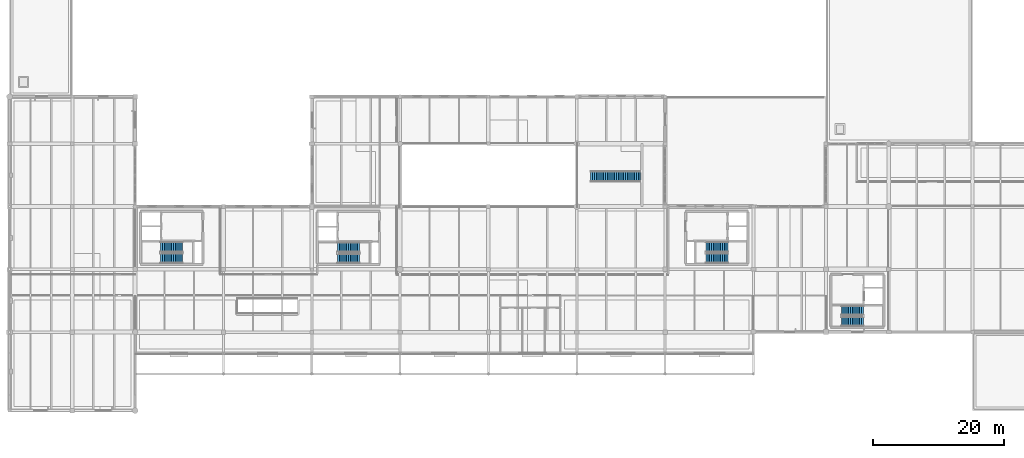
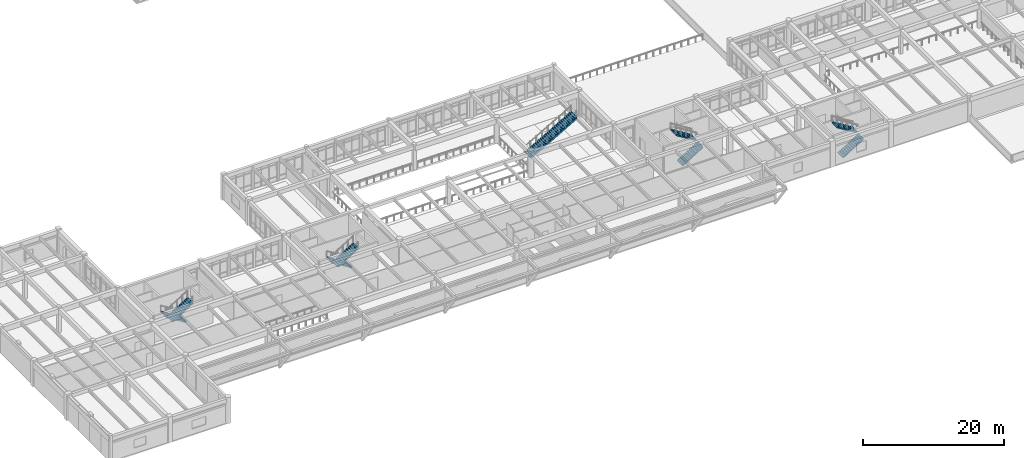
# One storey, part 96 of 109: 9 stair flights, 5 elements without a shape of their own.
"""IFC4 building model written with IfcOpenShell, lengths in metres."""

from ifc_helpers import new_model, si_unit, direction, frame, origin, place, context, subcontext, project, spatial, polyline, outline, extrude, material, type_object, element, aggregate, save


model = new_model("IFC4")

# Units and contexts
model_context = context("Model", 3, precision=1e-05, world=origin(), true_north=direction((0.0, 1.0)))
body_context = subcontext(model_context, "Body", "Model", "MODEL_VIEW")
ifc_project = project(units=[si_unit("LENGTHUNIT", "METRE"), si_unit("AREAUNIT", "SQUARE_METRE"), si_unit("VOLUMEUNIT", "CUBIC_METRE"), si_unit("PLANEANGLEUNIT", "RADIAN"), si_unit("MASSUNIT", "GRAM", prefix="KILO")], contexts=[model_context])

# Site, building, storey
site_placement = place(None, origin())
site = spatial("IfcSite", under=ifc_project, at=site_placement, CompositionType="ELEMENT")
building_placement = place(site_placement, origin())
building = spatial("IfcBuilding", under=site, at=building_placement, Name="Fikremerkos Civic Library", CompositionType="ELEMENT")
storey_placement = place(building_placement, frame((0.0, 0.0, 5.39990234375)))
storey = spatial("IfcBuildingStorey", under=building, at=storey_placement, Name="L01", CompositionType="ELEMENT", Elevation=5.39990234375)

# Stair, stair flights
ifc_material_1 = material(Name="Concrete C40/50", Category="concrete")
stair_type_1 = type_object("IfcStairType", Name="Half turn stair ST-HT-03 W1550 H4500", PredefinedType="HALF_TURN_STAIR", material=ifc_material_1)
stair_1_placement = place(storey_placement, origin())
stair_1 = element("IfcStair", 1, at=stair_1_placement, inside=storey, type_object=stair_type_1, Name="L01 ST-K1", PredefinedType="HALF_TURN_STAIR")
stair_flight_type_1 = type_object("IfcStairFlightType", Name="Straight stair flight SFL-03 W1550 H2250", PredefinedType="STRAIGHT", material=ifc_material_1)
stair_flight_1_placement = place(storey_placement, frame((26.449951171875, 25.02490234375, 0.0), z_axis=(0.0, 0.0, 1.0), x_axis=(-1.0, 0.0, 0.0)))
stair_flight_1 = element("IfcStairFlight", 2, at=stair_flight_1_placement, type_object=stair_flight_type_1, Name="ST-K1 flight 1", NumberOfRisers=13, NumberOfTreads=12, PredefinedType="STRAIGHT", RiserHeight=0.173076923, TreadLength=0.28, context=body_context, shape_type="SweptSolid", body=[
    extrude(outline(polyline([(-0.0048828125, 0.0), (-0.0048828125, 0.173095703125), (0.280029296875, 0.173095703125), (0.280029296875, 0.34619140625), (0.56005859375, 0.34619140625), (0.56005859375, 0.519287109375), (0.840087890625, 0.519287109375), (0.840087890625, 0.6923828125), (1.1201171875, 0.6923828125), (1.1201171875, 0.865478515625), (1.39990234375, 0.865478515625), (1.39990234375, 1.03857421875), (1.679931640625, 1.03857421875), (1.679931640625, 1.21142578125), (1.9599609375, 1.21142578125), (1.9599609375, 1.384521484375), (2.239990234375, 1.384521484375), (2.239990234375, 1.5576171875), (2.52001953125, 1.5576171875), (2.52001953125, 1.730712890625), (2.800048828125, 1.730712890625), (2.800048828125, 1.90380859375), (3.080078125, 1.90380859375), (3.080078125, 2.076904296875), (3.360107421875, 2.076904296875), (3.360107421875, 2.25), (3.364990234375, 2.25), (3.364990234375, 1.900634765625), (0.28515625, 0.0), (-0.0048828125, 0.0)])), frame((0.0, 0.77490234375, 0.0), z_axis=(0.0, -1.0, 0.0), x_axis=(1.0, 0.0, 0.0)), (0.0, 0.0, 1.0), 1.550048828125),
])
stair_flight_2_placement = place(storey_placement, frame((23.090087890625, 23.27490234375, 2.25), z_axis=(0.0, 0.0, 1.0), x_axis=(1.0, 0.0, 0.0)))
stair_flight_2 = element("IfcStairFlight", 3, at=stair_flight_2_placement, type_object=stair_flight_type_1, Name="ST-K1 flight 2", NumberOfRisers=13, NumberOfTreads=12, PredefinedType="STRAIGHT", RiserHeight=0.173076923, TreadLength=0.28, context=body_context, shape_type="SweptSolid", body=[
    extrude(outline(polyline([(-0.0048828125, 0.0), (-0.0048828125, 0.173095703125), (0.280029296875, 0.173095703125), (0.280029296875, 0.34619140625), (0.56005859375, 0.34619140625), (0.56005859375, 0.519287109375), (0.840087890625, 0.519287109375), (0.840087890625, 0.6923828125), (1.1201171875, 0.6923828125), (1.1201171875, 0.865478515625), (1.39990234375, 0.865478515625), (1.39990234375, 1.03857421875), (1.679931640625, 1.03857421875), (1.679931640625, 1.21142578125), (1.9599609375, 1.21142578125), (1.9599609375, 1.384521484375), (2.239990234375, 1.384521484375), (2.239990234375, 1.5576171875), (2.52001953125, 1.5576171875), (2.52001953125, 1.730712890625), (2.800048828125, 1.730712890625), (2.800048828125, 1.90380859375), (3.080078125, 1.90380859375), (3.080078125, 2.076904296875), (3.360107421875, 2.076904296875), (3.360107421875, 2.25), (3.364990234375, 2.25), (3.364990234375, 1.900634765625), (0.28515625, 0.0), (-0.0048828125, 0.0)])), frame((0.0, 0.77490234375, 0.0), z_axis=(0.0, -1.0, 0.0), x_axis=(1.0, 0.0, 0.0)), (0.0, 0.0, 1.0), 1.550048828125),
])
aggregate(stair_1, [stair_flight_1, stair_flight_2])

stair_2_placement = place(storey_placement, origin())
stair_2 = element("IfcStair", 4, at=stair_2_placement, inside=storey, type_object=stair_type_1, Name="L01 ST-K2", PredefinedType="HALF_TURN_STAIR")
stair_flight_3_placement = place(storey_placement, frame((106.449951171875, 23.27490234375, 0.0), z_axis=(0.0, 0.0, 1.0), x_axis=(1.0, 0.0, 0.0)))
stair_flight_3 = element("IfcStairFlight", 5, at=stair_flight_3_placement, type_object=stair_flight_type_1, Name="ST-K2 flight 1", NumberOfRisers=13, NumberOfTreads=12, PredefinedType="STRAIGHT", RiserHeight=0.173076923, TreadLength=0.28, context=body_context, shape_type="SweptSolid", body=[
    extrude(outline(polyline([(-0.0048828125, 0.0), (-0.0048828125, 0.173095703125), (0.280029296875, 0.173095703125), (0.280029296875, 0.34619140625), (0.56005859375, 0.34619140625), (0.56005859375, 0.519287109375), (0.840087890625, 0.519287109375), (0.840087890625, 0.6923828125), (1.1201171875, 0.6923828125), (1.1201171875, 0.865478515625), (1.39990234375, 0.865478515625), (1.39990234375, 1.03857421875), (1.679931640625, 1.03857421875), (1.679931640625, 1.21142578125), (1.9599609375, 1.21142578125), (1.9599609375, 1.384521484375), (2.239990234375, 1.384521484375), (2.239990234375, 1.5576171875), (2.52001953125, 1.5576171875), (2.52001953125, 1.730712890625), (2.800048828125, 1.730712890625), (2.800048828125, 1.90380859375), (3.080078125, 1.90380859375), (3.080078125, 2.076904296875), (3.360107421875, 2.076904296875), (3.360107421875, 2.25), (3.364990234375, 2.25), (3.364990234375, 1.900634765625), (0.28515625, 0.0), (-0.0048828125, 0.0)])), frame((0.0, 0.77490234375, 0.0), z_axis=(0.0, -1.0, 0.0), x_axis=(1.0, 0.0, 0.0)), (0.0, 0.0, 1.0), 1.550048828125),
])
stair_flight_4_placement = place(storey_placement, frame((109.81005859375, 25.02490234375, 2.25), z_axis=(0.0, 0.0, 1.0), x_axis=(-1.0, 0.0, 0.0)))
stair_flight_4 = element("IfcStairFlight", 6, at=stair_flight_4_placement, type_object=stair_flight_type_1, Name="ST-K2 flight 2", NumberOfRisers=13, NumberOfTreads=12, PredefinedType="STRAIGHT", RiserHeight=0.173076923, TreadLength=0.28, context=body_context, shape_type="SweptSolid", body=[
    extrude(outline(polyline([(-0.0048828125, 0.0), (-0.0048828125, 0.173095703125), (0.280029296875, 0.173095703125), (0.280029296875, 0.34619140625), (0.56005859375, 0.34619140625), (0.56005859375, 0.519287109375), (0.840087890625, 0.519287109375), (0.840087890625, 0.6923828125), (1.1201171875, 0.6923828125), (1.1201171875, 0.865478515625), (1.39990234375, 0.865478515625), (1.39990234375, 1.03857421875), (1.679931640625, 1.03857421875), (1.679931640625, 1.21142578125), (1.9599609375, 1.21142578125), (1.9599609375, 1.384521484375), (2.239990234375, 1.384521484375), (2.239990234375, 1.5576171875), (2.52001953125, 1.5576171875), (2.52001953125, 1.730712890625), (2.800048828125, 1.730712890625), (2.800048828125, 1.90380859375), (3.080078125, 1.90380859375), (3.080078125, 2.076904296875), (3.360107421875, 2.076904296875), (3.360107421875, 2.25), (3.364990234375, 2.25), (3.364990234375, 1.900634765625), (0.28515625, 0.0), (-0.0048828125, 0.0)])), frame((0.0, 0.77490234375, 0.0), z_axis=(0.0, -1.0, 0.0), x_axis=(1.0, 0.0, 0.0)), (0.0, 0.0, 1.0), 1.550048828125),
])
aggregate(stair_2, [stair_flight_3, stair_flight_4])

stair_type_2 = type_object("IfcStairType", Name="Half turn stair ST-HT-06 W1500 H4500", PredefinedType="HALF_TURN_STAIR", material=ifc_material_1)
stair_3_placement = place(storey_placement, origin())
stair_3 = element("IfcStair", 7, at=stair_3_placement, inside=storey, type_object=stair_type_2, Name="L01 ST-K3", PredefinedType="HALF_TURN_STAIR")
stair_flight_type_2 = type_object("IfcStairFlightType", Name="Straight stair flight SFL-06 W1500 H2250", PredefinedType="STRAIGHT", material=ifc_material_1)
stair_flight_5_placement = place(storey_placement, frame((53.5, 24.949951171875, 0.0), z_axis=(0.0, 0.0, 1.0), x_axis=(-1.0, 0.0, 0.0)))
stair_flight_5 = element("IfcStairFlight", 8, at=stair_flight_5_placement, type_object=stair_flight_type_2, Name="ST-K3 flight 1", NumberOfRisers=13, NumberOfTreads=12, PredefinedType="STRAIGHT", RiserHeight=0.173076923, TreadLength=0.28, context=body_context, shape_type="SweptSolid", body=[
    extrude(outline(polyline([(-0.0048828125, 0.0), (-0.0048828125, 0.173095703125), (0.280029296875, 0.173095703125), (0.280029296875, 0.34619140625), (0.56005859375, 0.34619140625), (0.56005859375, 0.519287109375), (0.840087890625, 0.519287109375), (0.840087890625, 0.6923828125), (1.1201171875, 0.6923828125), (1.1201171875, 0.865478515625), (1.39990234375, 0.865478515625), (1.39990234375, 1.03857421875), (1.679931640625, 1.03857421875), (1.679931640625, 1.21142578125), (1.9599609375, 1.21142578125), (1.9599609375, 1.384521484375), (2.239990234375, 1.384521484375), (2.239990234375, 1.5576171875), (2.52001953125, 1.5576171875), (2.52001953125, 1.730712890625), (2.800048828125, 1.730712890625), (2.800048828125, 1.90380859375), (3.080078125, 1.90380859375), (3.080078125, 2.076904296875), (3.360107421875, 2.076904296875), (3.360107421875, 2.25), (3.364990234375, 2.25), (3.364990234375, 1.900634765625), (0.28515625, 0.0), (-0.0048828125, 0.0)])), frame((0.0, 0.75, 0.0), z_axis=(0.0, -1.0, 0.0), x_axis=(1.0, 0.0, 0.0)), (0.0, 0.0, 1.0), 1.5),
])
stair_flight_6_placement = place(storey_placement, frame((50.139892578125, 23.25, 2.25), z_axis=(0.0, 0.0, 1.0), x_axis=(1.0, 0.0, 0.0)))
stair_flight_6 = element("IfcStairFlight", 9, at=stair_flight_6_placement, type_object=stair_flight_type_2, Name="ST-K3 flight 2", NumberOfRisers=13, NumberOfTreads=12, PredefinedType="STRAIGHT", RiserHeight=0.173076923, TreadLength=0.28, context=body_context, shape_type="SweptSolid", body=[
    extrude(outline(polyline([(-0.0048828125, 0.0), (-0.0048828125, 0.173095703125), (0.280029296875, 0.173095703125), (0.280029296875, 0.34619140625), (0.56005859375, 0.34619140625), (0.56005859375, 0.519287109375), (0.840087890625, 0.519287109375), (0.840087890625, 0.6923828125), (1.1201171875, 0.6923828125), (1.1201171875, 0.865478515625), (1.39990234375, 0.865478515625), (1.39990234375, 1.03857421875), (1.679931640625, 1.03857421875), (1.679931640625, 1.21142578125), (1.9599609375, 1.21142578125), (1.9599609375, 1.384521484375), (2.239990234375, 1.384521484375), (2.239990234375, 1.5576171875), (2.52001953125, 1.5576171875), (2.52001953125, 1.730712890625), (2.800048828125, 1.730712890625), (2.800048828125, 1.90380859375), (3.080078125, 1.90380859375), (3.080078125, 2.076904296875), (3.360107421875, 2.076904296875), (3.360107421875, 2.25), (3.364990234375, 2.25), (3.364990234375, 1.900634765625), (0.28515625, 0.0), (-0.0048828125, 0.0)])), frame((0.0, 0.75, 0.0), z_axis=(0.0, -1.0, 0.0), x_axis=(1.0, 0.0, 0.0)), (0.0, 0.0, 1.0), 1.5),
])
aggregate(stair_3, [stair_flight_5, stair_flight_6])

stair_type_3 = type_object("IfcStairType", Name="Half turn stair ST-HT-09 W1450 H4500", PredefinedType="HALF_TURN_STAIR", material=ifc_material_1)
stair_4_placement = place(storey_placement, origin())
stair_4 = element("IfcStair", 10, at=stair_4_placement, inside=storey, type_object=stair_type_3, Name="L01 ST-K4", PredefinedType="HALF_TURN_STAIR")
stair_flight_type_3 = type_object("IfcStairFlightType", Name="Straight stair flight SFL-09 W1450 H2250", PredefinedType="STRAIGHT", material=ifc_material_1)
stair_flight_7_placement = place(storey_placement, frame((127.14990234375, 13.625, 0.0), z_axis=(0.0, 0.0, 1.0), x_axis=(1.0, 0.0, 0.0)))
stair_flight_7 = element("IfcStairFlight", 11, at=stair_flight_7_placement, type_object=stair_flight_type_3, Name="ST-K4 flight 1", NumberOfRisers=13, NumberOfTreads=12, PredefinedType="STRAIGHT", RiserHeight=0.173076923, TreadLength=0.28, context=body_context, shape_type="SweptSolid", body=[
    extrude(outline(polyline([(-0.0048828125, 0.0), (-0.0048828125, 0.173095703125), (0.280029296875, 0.173095703125), (0.280029296875, 0.34619140625), (0.56005859375, 0.34619140625), (0.56005859375, 0.519287109375), (0.840087890625, 0.519287109375), (0.840087890625, 0.6923828125), (1.1201171875, 0.6923828125), (1.1201171875, 0.865478515625), (1.39990234375, 0.865478515625), (1.39990234375, 1.03857421875), (1.679931640625, 1.03857421875), (1.679931640625, 1.21142578125), (1.9599609375, 1.21142578125), (1.9599609375, 1.384521484375), (2.239990234375, 1.384521484375), (2.239990234375, 1.5576171875), (2.52001953125, 1.5576171875), (2.52001953125, 1.730712890625), (2.800048828125, 1.730712890625), (2.800048828125, 1.90380859375), (3.080078125, 1.90380859375), (3.080078125, 2.076904296875), (3.360107421875, 2.076904296875), (3.360107421875, 2.25), (3.364990234375, 2.25), (3.364990234375, 1.900634765625), (0.28515625, 0.0), (-0.0048828125, 0.0)])), frame((0.0, 0.72509765625, 0.0), z_axis=(0.0, -1.0, 0.0), x_axis=(1.0, 0.0, 0.0)), (0.0, 0.0, 1.0), 1.449951171875),
])
stair_flight_8_placement = place(storey_placement, frame((130.510009765625, 15.27490234375, 2.25), z_axis=(0.0, 0.0, 1.0), x_axis=(-1.0, 0.0, 0.0)))
stair_flight_8 = element("IfcStairFlight", 12, at=stair_flight_8_placement, type_object=stair_flight_type_3, Name="ST-K4 flight 2", NumberOfRisers=13, NumberOfTreads=12, PredefinedType="STRAIGHT", RiserHeight=0.173076923, TreadLength=0.28, context=body_context, shape_type="SweptSolid", body=[
    extrude(outline(polyline([(-0.0048828125, 0.0), (-0.0048828125, 0.173095703125), (0.280029296875, 0.173095703125), (0.280029296875, 0.34619140625), (0.56005859375, 0.34619140625), (0.56005859375, 0.519287109375), (0.840087890625, 0.519287109375), (0.840087890625, 0.6923828125), (1.1201171875, 0.6923828125), (1.1201171875, 0.865478515625), (1.39990234375, 0.865478515625), (1.39990234375, 1.03857421875), (1.679931640625, 1.03857421875), (1.679931640625, 1.21142578125), (1.9599609375, 1.21142578125), (1.9599609375, 1.384521484375), (2.239990234375, 1.384521484375), (2.239990234375, 1.5576171875), (2.52001953125, 1.5576171875), (2.52001953125, 1.730712890625), (2.800048828125, 1.730712890625), (2.800048828125, 1.90380859375), (3.080078125, 1.90380859375), (3.080078125, 2.076904296875), (3.360107421875, 2.076904296875), (3.360107421875, 2.25), (3.364990234375, 2.25), (3.364990234375, 1.900634765625), (0.28515625, 0.0), (-0.0048828125, 0.0)])), frame((0.0, 0.72509765625, 0.0), z_axis=(0.0, -1.0, 0.0), x_axis=(1.0, 0.0, 0.0)), (0.0, 0.0, 1.0), 1.449951171875),
])
aggregate(stair_4, [stair_flight_7, stair_flight_8])

# Stair, stair flight
ifc_material_2 = material(Name="Steel S355", Category="steel")
stair_type_4 = type_object("IfcStairType", Name="Straight run stair ST-SR-02 W1650 H4500", PredefinedType="STRAIGHT_RUN_STAIR", material=ifc_material_2)
stair_5_placement = place(storey_placement, origin())
stair_5 = element("IfcStair", 13, at=stair_5_placement, inside=storey, type_object=stair_type_4, Name="L01 stepped atrium feature straight stair ST30", PredefinedType="STRAIGHT_RUN_STAIR")
stair_flight_type_4 = type_object("IfcStairFlightType", Name="Straight stair flight SFL-13 W1650", PredefinedType="STRAIGHT", material=ifc_material_2)
stair_flight_9_placement = place(storey_placement, frame((88.840087890625, 35.800048828125, 0.0), z_axis=(0.0, 0.0, 1.0), x_axis=(1.0, 0.0, 0.0)))
stair_flight_9 = element("IfcStairFlight", 14, at=stair_flight_9_placement, type_object=stair_flight_type_4, Name="ST30 flight 1", NumberOfRisers=28, NumberOfTreads=27, PredefinedType="STRAIGHT", RiserHeight=0.160714286, TreadLength=0.28, context=body_context, shape_type="SweptSolid", body=[
    extrude(outline(polyline([(-0.0048828125, 0.0), (-0.0048828125, 0.16064453125), (0.280029296875, 0.16064453125), (0.280029296875, 0.321533203125), (0.56005859375, 0.321533203125), (0.56005859375, 0.482177734375), (0.840087890625, 0.482177734375), (0.840087890625, 0.642822265625), (1.1201171875, 0.642822265625), (1.1201171875, 0.803466796875), (1.39990234375, 0.803466796875), (1.39990234375, 0.96435546875), (1.679931640625, 0.96435546875), (1.679931640625, 1.125), (1.9599609375, 1.125), (1.9599609375, 1.28564453125), (2.239990234375, 1.28564453125), (2.239990234375, 1.446533203125), (2.52001953125, 1.446533203125), (2.52001953125, 1.607177734375), (2.800048828125, 1.607177734375), (2.800048828125, 1.767822265625), (3.080078125, 1.767822265625), (3.080078125, 1.928466796875), (3.360107421875, 1.928466796875), (3.360107421875, 2.08935546875), (3.639892578125, 2.08935546875), (3.639892578125, 2.25), (3.919921875, 2.25), (3.919921875, 2.41064453125), (4.199951171875, 2.41064453125), (4.199951171875, 2.571533203125), (4.47998046875, 2.571533203125), (4.47998046875, 2.732177734375), (4.760009765625, 2.732177734375), (4.760009765625, 2.892822265625), (5.0400390625, 2.892822265625), (5.0400390625, 3.053466796875), (5.320068359375, 3.053466796875), (5.320068359375, 3.21435546875), (5.60009765625, 3.21435546875), (5.60009765625, 3.375), (5.8798828125, 3.375), (5.8798828125, 3.53564453125), (6.159912109375, 3.53564453125), (6.159912109375, 3.696533203125), (6.43994140625, 3.696533203125), (6.43994140625, 3.857177734375), (6.719970703125, 3.857177734375), (6.719970703125, 4.017822265625), (7.0, 4.017822265625), (7.0, 4.178466796875), (7.280029296875, 4.178466796875), (7.280029296875, 4.33935546875), (7.56005859375, 4.33935546875), (7.56005859375, 4.5), (7.56494140625, 4.5), (7.56494140625, 4.0625), (0.482177734375, 0.0), (-0.0048828125, 0.0)])), frame((0.0, 0.824951171875, 0.0), z_axis=(0.0, -1.0, 0.0), x_axis=(1.0, 0.0, 0.0)), (0.0, 0.0, 1.0), 1.64990234375),
])
aggregate(stair_5, [stair_flight_9])

save(model, "model.ifc")
